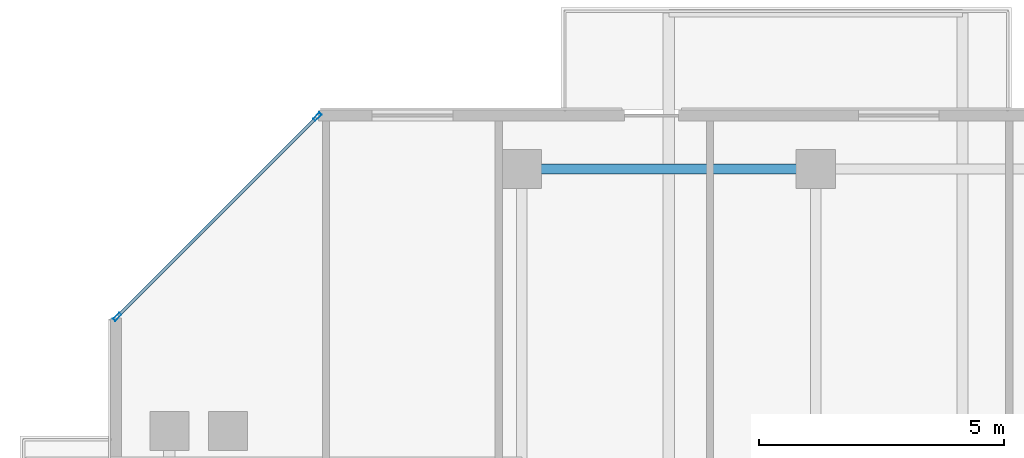
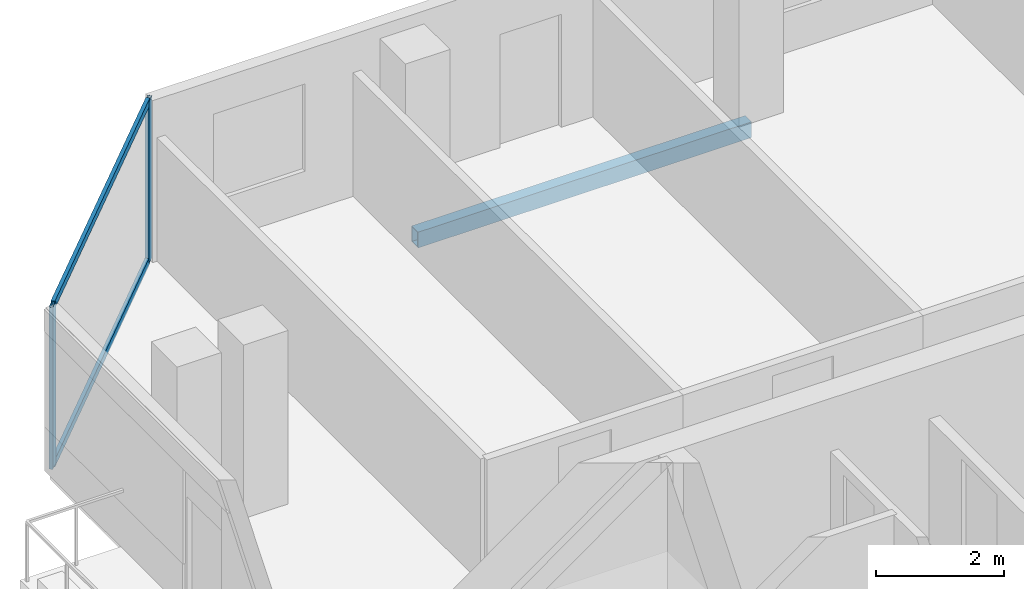
# One storey, part 8 of 28: 4 members, 1 beam, 1 element without a shape of its own.
"""IFC4 building model written with IfcOpenShell, lengths in metres."""

from ifc_helpers import new_model, si_unit, direction, frame, origin, origin_2d, place, context, subcontext, project, spatial, hollow_rectangle, extrude, material, layer, layer_set, material_profile, profile_set, type_object, element, aggregate, save


model = new_model("IFC4")

# Units and contexts
model_context = context("Model", 3, precision=1e-05, world=origin(), true_north=direction((0.0, 1.0)))
body_context = subcontext(model_context, "Body", "Model", "MODEL_VIEW")
ifc_project = project(units=[si_unit("LENGTHUNIT", "METRE"), si_unit("AREAUNIT", "SQUARE_METRE"), si_unit("VOLUMEUNIT", "CUBIC_METRE"), si_unit("PLANEANGLEUNIT", "RADIAN"), si_unit("MASSUNIT", "GRAM", prefix="KILO")], contexts=[model_context])

# Site, building, storey
site_placement = place(None, origin())
site = spatial("IfcSite", under=ifc_project, at=site_placement, CompositionType="ELEMENT")
building_placement = place(site_placement, origin())
building = spatial("IfcBuilding", under=site, at=building_placement, Name="Tanjung Sevakor Pilgrim Tower", CompositionType="ELEMENT")
storey_placement = place(building_placement, frame((0.0, 0.0, 185.1298828125)))
storey = spatial("IfcBuildingStorey", under=building, at=storey_placement, Name="L51", CompositionType="ELEMENT", Elevation=185.1298828125)

# Beam
ifc_material_1 = material(Name="Steel S355J2", Category="steel")
ifc_material_profile_1 = material_profile(ifc_material_1, hollow_rectangle(XDim=0.199951171875, YDim=0.300048828125, WallThickness=0.012451171875, at=origin_2d()))
ifc_profile_set_1 = profile_set([ifc_material_profile_1], Name="Steel S355J2")
beam_type = type_object("IfcBeamType", Name="BM-B-SP3-RHS_300x200x12.5", PredefinedType="SPANDREL", material=ifc_profile_set_1)
beam_placement = place(storey_placement, frame((30.0, 53.949951171875, -0.369873046875), z_axis=(1.0, 0.0, 0.0), x_axis=(0.0, 1.0, 0.0)))
element("IfcBeam", 1, at=beam_placement, inside=storey, type_object=beam_type, Name="L51 Spandrel MAIN N-02", PredefinedType="SPANDREL", context=body_context, shape_type="SweptSolid", body=[
    extrude(hollow_rectangle(XDim=0.199951171875, YDim=0.300048828125, WallThickness=0.012451171875, at=origin_2d()), origin(), (0.0, 0.0, 1.0), 6.0),
])

# Curtain wall, members
ifc_material_2 = material(Name="Aluminium 6063-T6 and Low-E Glass", Category="aluminium")
ifc_layer = layer(ifc_material_2, 0.179931640625)
ifc_layer_set = layer_set([ifc_layer], Name="CW-SYS-CHAM")
curtain_wall_type = type_object("IfcCurtainWallType", Name="CW-SYS-CHAM", PredefinedType="NOTDEFINED", material=ifc_layer_set)
curtain_wall_placement = place(storey_placement, origin())
curtain_wall = element("IfcCurtainWall", 2, at=curtain_wall_placement, inside=storey, type_object=curtain_wall_type, Name="L51 Curtain Wall CW-CHM-L51-MAIN-13", PredefinedType="NOTDEFINED")
ifc_material_3 = material(Name="Aluminium 6063-T6", Category="aluminium")
ifc_material_profile_2 = material_profile(ifc_material_3, hollow_rectangle(XDim=0.06494140625, YDim=0.179931640625, WallThickness=0.00390625, at=origin_2d()))
ifc_profile_set_2 = profile_set([ifc_material_profile_2], Name="Aluminium 6063-T6")
member_type_1 = type_object("IfcMemberType", Name="TYPE-CWM-1", PredefinedType="MULLION", material=ifc_profile_set_2)
member_1_placement = place(storey_placement, frame((25.822509765625, 55.01708984375, 0.0), z_axis=(0.0, 0.0, 1.0), x_axis=(0.707106781187, -0.707106781187, 0.0)))
member_1 = element("IfcMember", 3, at=member_1_placement, type_object=member_type_1, Name="CW-CHM mullion 1", PredefinedType="MULLION", context=body_context, shape_type="SweptSolid", body=[
    extrude(hollow_rectangle(XDim=0.06494140625, YDim=0.179931640625, WallThickness=0.00390625, at=origin_2d()), origin(), (0.0, 0.0, 1.0), 3.080078125),
])
member_2_placement = place(storey_placement, frame((21.73291015625, 50.927490234375, 0.0), z_axis=(0.0, 0.0, 1.0), x_axis=(0.707106781187, -0.707106781187, 0.0)))
member_2 = element("IfcMember", 4, at=member_2_placement, type_object=member_type_1, Name="CW-CHM mullion 2", PredefinedType="MULLION", context=body_context, shape_type="SweptSolid", body=[
    extrude(hollow_rectangle(XDim=0.06494140625, YDim=0.179931640625, WallThickness=0.00390625, at=origin_2d()), origin(), (0.0, 0.0, 1.0), 3.080078125),
])
ifc_material_4 = material(Name="Aluminium 6063-T6", Category="aluminium")
ifc_material_profile_3 = material_profile(ifc_material_4, hollow_rectangle(XDim=0.06494140625, YDim=0.139892578125, WallThickness=0.00390625, at=origin_2d()))
ifc_profile_set_3 = profile_set([ifc_material_profile_3], Name="Aluminium 6063-T6")
member_type_2 = type_object("IfcMemberType", Name="TYPE-CWT-1", PredefinedType="USERDEFINED", material=ifc_profile_set_3)
member_3_placement = place(storey_placement, frame((25.799560546875, 54.994140625, 0.03271484375), z_axis=(-0.707106781187, -0.707106781187, 0.0), x_axis=(0.707106781187, -0.707106781187, 0.0)))
member_3 = element("IfcMember", 5, at=member_3_placement, type_object=member_type_2, Name="CW-CHM transom 1.1", ObjectType="TRANSOM", PredefinedType="USERDEFINED", context=body_context, shape_type="SweptSolid", body=[
    extrude(hollow_rectangle(XDim=0.06494140625, YDim=0.139892578125, WallThickness=0.00390625, at=origin_2d()), origin(), (0.0, 0.0, 1.0), 5.71875),
])
member_4_placement = place(storey_placement, frame((25.799560546875, 54.994140625, 3.047607421875), z_axis=(-0.707106781187, -0.707106781187, 0.0), x_axis=(0.707106781187, -0.707106781187, 0.0)))
member_4 = element("IfcMember", 6, at=member_4_placement, type_object=member_type_2, Name="CW-CHM transom 1.2", ObjectType="TRANSOM", PredefinedType="USERDEFINED", context=body_context, shape_type="SweptSolid", body=[
    extrude(hollow_rectangle(XDim=0.06494140625, YDim=0.139892578125, WallThickness=0.00390625, at=origin_2d()), origin(), (0.0, 0.0, 1.0), 5.71875),
])
aggregate(curtain_wall, [member_1, member_2, member_3, member_4])

save(model, "model.ifc")
